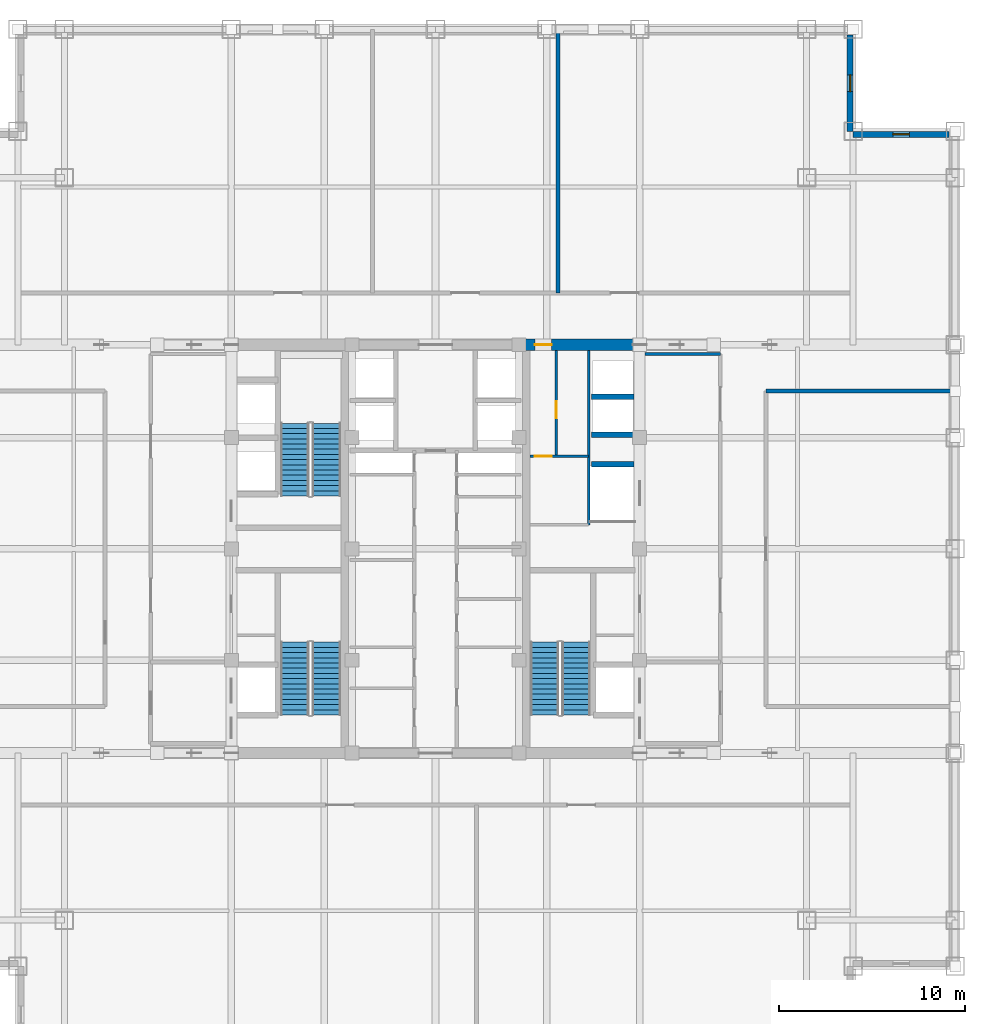
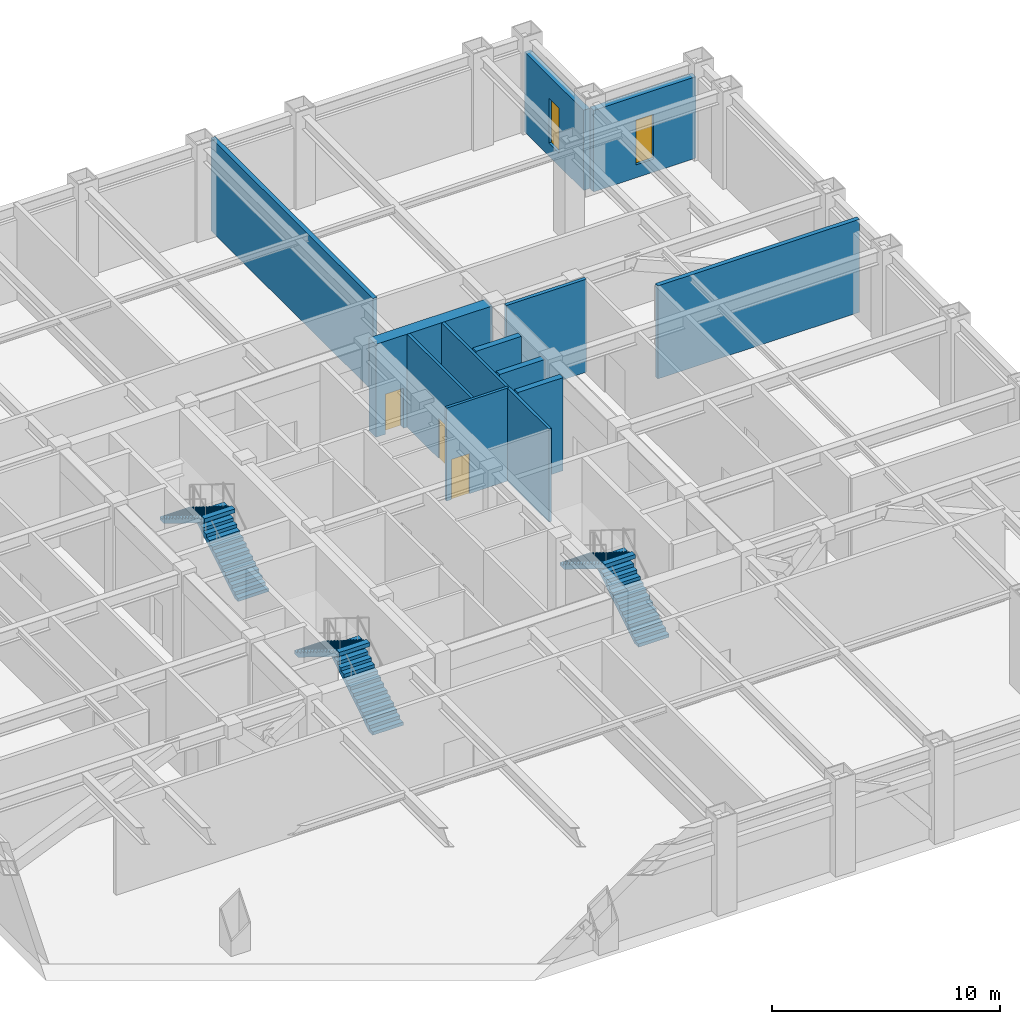
# One storey, part 9 of 11: 12 walls, 6 stair flights, 3 doors, 2 windows, 5 openings, 3 elements without a shape of their own.
"""IFC4 building model written with IfcOpenShell, lengths in metres."""

from ifc_helpers import new_model, si_unit, direction, frame, frame_2d, origin, place, context, subcontext, project, spatial, polyline, rectangle, outline, extrude, source, transform, mapped, material, layer, layer_set, type_object, element, fill, aggregate, save


model = new_model("IFC4")

# Units and contexts
model_context = context("Model", 3, precision=1e-05, world=origin(), true_north=direction((0.0, 1.0)))
body_context = subcontext(model_context, "Body", "Model", "MODEL_VIEW")
ifc_project = project(units=[si_unit("LENGTHUNIT", "METRE"), si_unit("AREAUNIT", "SQUARE_METRE"), si_unit("VOLUMEUNIT", "CUBIC_METRE"), si_unit("PLANEANGLEUNIT", "RADIAN"), si_unit("MASSUNIT", "GRAM", prefix="KILO")], contexts=[model_context])

# Site, building, storey
site_placement = place(None, origin())
site = spatial("IfcSite", under=ifc_project, at=site_placement, CompositionType="ELEMENT")
building_placement = place(site_placement, origin())
building = spatial("IfcBuilding", under=site, at=building_placement, Name="Khorayat Bourse Tower", CompositionType="ELEMENT")
storey_placement = place(building_placement, frame((0.0, 0.0, 268.300048828125)))
storey = spatial("IfcBuildingStorey", under=building, at=storey_placement, Name="L63", CompositionType="ELEMENT", Elevation=268.300048828125)

# Wall, opening, door
ifc_material_1 = material(Name="Concrete C60/75", Category="concrete")
ifc_layer_1 = layer(ifc_material_1, 0.60009765625)
ifc_layer_set_1 = layer_set([ifc_layer_1], Name="Concrete C60/75")
wall_type_1 = type_object("IfcWallType", Name="WAL-CORE-600", PredefinedType="SHEAR", material=ifc_layer_set_1)
shared_shape_1 = source(origin(), body_context, "Body", "SweptSolid", [
    extrude(rectangle(XDim=5.89990234375, YDim=0.60009765625, at=frame_2d((2.949951171875, 0.0))), origin(), (0.0, 0.0, 1.0), 4.97998046875),
])
wall_1_placement = place(storey_placement, frame((4.85009765625, 11.0, 0.0), z_axis=(0.0, 0.0, 1.0), x_axis=(1.0, 0.0, 0.0)))
wall_1 = element("IfcWall", 1, at=wall_1_placement, inside=storey, type_object=wall_type_1, Name="L63 Core Shear Wall PIER-EN", PredefinedType="SHEAR", context=body_context, shape_type="MappedRepresentation", body=[
    mapped(shared_shape_1, transform((0.0, 0.0, 0.0), scale=1.0)),
])
shared_shape_2 = source(origin(), body_context, "Body", "SweptSolid", [
    extrude(rectangle(XDim=0.89990234375, YDim=2.14990234375, at=frame_2d((0.449951171875, 1.074951171875))), frame((0.0, 0.31005859375, 0.0), z_axis=(0.0, -1.0, 0.0), x_axis=(1.0, 0.0, 0.0)), (0.0, 0.0, 1.0), 0.6201171875),
])
opening_1_placement = place(wall_1_placement, frame((0.5, 0.0, 0.0)))
opening_1 = element("IfcOpeningElement", 2, at=opening_1_placement, cuts=wall_1, Name="Opening DI-06", PredefinedType="OPENING", context=body_context, shape_type="MappedRepresentation", body=[
    mapped(shared_shape_2, transform((0.0, 0.0, 0.0), scale=1.0)),
])
ifc_material_2 = material(Name="Moisture-resistant laminate washroom door")
door_type = type_object("IfcDoorType", Name="DR-INT-WC-900", OperationType="NOTDEFINED", PredefinedType="DOOR", material=ifc_material_2)
shared_shape_3 = source(origin(), body_context, "Body", "SweptSolid", [
    extrude(rectangle(XDim=0.89990234375, YDim=2.14990234375, at=frame_2d((0.449951171875, 1.074951171875))), frame((0.0, 0.02490234375, 0.0), z_axis=(0.0, -1.0, 0.0), x_axis=(1.0, 0.0, 0.0)), (0.0, 0.0, 1.0), 0.050048828125),
])
door_1_placement = place(opening_1_placement, origin())
door_1 = element("IfcDoor", 3, at=door_1_placement, inside=storey, type_object=door_type, Name="L63 Core Washroom Lobby Door", OperationType="SINGLE_SWING_LEFT", OverallHeight=2.14990234375, OverallWidth=0.89990234375, PredefinedType="DOOR", context=body_context, shape_type="MappedRepresentation", body=[
    mapped(shared_shape_3, transform((0.0, 0.0, 0.0), scale=1.0)),
])
fill(opening_1, door_1)

# Wall, opening, window
ifc_material_3 = material(Name="Precast concrete C45/55", Category="concrete")
ifc_layer_2 = layer(ifc_material_3, 0.320068359375)
ifc_layer_set_2 = layer_set([ifc_layer_2], Name="Precast concrete C45/55")
wall_type_2 = type_object("IfcWallType", Name="WAL-EXT-STONE-320", PredefinedType="STANDARD", material=ifc_layer_set_2)
shared_shape_4 = source(origin(), body_context, "Body", "SweptSolid", [
    extrude(rectangle(XDim=5.179931640625, YDim=0.320068359375, at=frame_2d((2.58984375, 0.0))), origin(), (0.0, 0.0, 1.0), 4.364013671875),
])
wall_2_placement = place(storey_placement, frame((22.5, 22.340087890625, 0.0), z_axis=(0.0, 0.0, 1.0), x_axis=(1.0, 0.0, 0.0)))
wall_2 = element("IfcWall", 4, at=wall_2_placement, inside=storey, type_object=wall_type_2, Name="L63 Re-Entrant Notch Limestone Wall NE-H", PredefinedType="STANDARD", context=body_context, shape_type="MappedRepresentation", body=[
    mapped(shared_shape_4, transform((0.0, 0.0, 0.0), scale=1.0)),
])
shared_shape_5 = source(origin(), body_context, "Body", "SweptSolid", [
    extrude(rectangle(XDim=0.89990234375, YDim=2.39990234375, at=frame_2d((0.449951171875, 1.199951171875))), frame((0.0, 0.169921875, 0.0), z_axis=(0.0, -1.0, 0.0), x_axis=(1.0, 0.0, 0.0)), (0.0, 0.0, 1.0), 0.340087890625),
])
opening_2_placement = place(wall_2_placement, frame((2.139892578125, 0.0, 0.699951171875)))
opening_2 = element("IfcOpeningElement", 5, at=opening_2_placement, cuts=wall_2, Name="Opening WN-03", PredefinedType="OPENING", context=body_context, shape_type="MappedRepresentation", body=[
    mapped(shared_shape_5, transform((0.0, 0.0, 0.0), scale=1.0)),
])
ifc_material_4 = material(Name="Deep-reveal solar-control double glazing", Category="glass")
window_type = type_object("IfcWindowType", Name="WIN-SLOT-900x2400", PartitioningType="SINGLE_PANEL", PredefinedType="WINDOW", material=ifc_material_4)
shared_shape_6 = source(origin(), body_context, "Body", "SweptSolid", [
    extrude(rectangle(XDim=0.89990234375, YDim=2.39990234375, at=frame_2d((0.449951171875, 1.199951171875))), frame((0.0, 0.030029296875, 0.0), z_axis=(0.0, -1.0, 0.0), x_axis=(1.0, 0.0, 0.0)), (0.0, 0.0, 1.0), 0.06005859375),
])
window_1_placement = place(opening_2_placement, origin())
window_1 = element("IfcWindow", 6, at=window_1_placement, inside=storey, type_object=window_type, Name="L63 Facade Window 1", OverallHeight=2.39990234375, OverallWidth=0.89990234375, PartitioningType="SINGLE_PANEL", PredefinedType="WINDOW", context=body_context, shape_type="MappedRepresentation", body=[
    mapped(shared_shape_6, transform((0.0, 0.0, 0.0), scale=1.0)),
])
fill(opening_2, window_1)

shared_shape_7 = source(origin(), body_context, "Body", "SweptSolid", [
    extrude(rectangle(XDim=5.179931640625, YDim=0.320068359375, at=frame_2d((2.58984375, 0.0))), origin(), (0.0, 0.0, 1.0), 4.283935546875),
])
wall_3_placement = place(storey_placement, frame((22.340087890625, 22.5, 0.0), z_axis=(0.0, 0.0, 1.0), x_axis=(0.0, 1.0, 0.0)))
wall_3 = element("IfcWall", 7, at=wall_3_placement, inside=storey, type_object=wall_type_2, Name="L63 Re-Entrant Notch Limestone Wall NE-V", PredefinedType="STANDARD", context=body_context, shape_type="MappedRepresentation", body=[
    mapped(shared_shape_7, transform((0.0, 0.0, 0.0), scale=1.0)),
])
opening_3_placement = place(wall_3_placement, frame((2.139892578125, 0.0, 0.699951171875)))
opening_3 = element("IfcOpeningElement", 8, at=opening_3_placement, cuts=wall_3, Name="Opening WN-03", PredefinedType="OPENING", context=body_context, shape_type="MappedRepresentation", body=[
    mapped(shared_shape_5, transform((0.0, 0.0, 0.0), scale=1.0)),
])
window_2_placement = place(opening_3_placement, origin())
window_2 = element("IfcWindow", 9, at=window_2_placement, inside=storey, type_object=window_type, Name="L63 Facade Window 1", OverallHeight=2.39990234375, OverallWidth=0.89990234375, PartitioningType="SINGLE_PANEL", PredefinedType="WINDOW", context=body_context, shape_type="MappedRepresentation", body=[
    mapped(shared_shape_6, transform((0.0, 0.0, 0.0), scale=1.0)),
])
fill(opening_3, window_2)

# Walls
ifc_material_5 = material(Name="Concrete C50/60", Category="concrete")
ifc_layer_3 = layer(ifc_material_5, 0.300048828125)
ifc_layer_set_3 = layer_set([ifc_layer_3], Name="Concrete C50/60")
wall_type_3 = type_object("IfcWallType", Name="WAL-SHAFT-300", PredefinedType="SHEAR", material=ifc_layer_set_3)
shared_shape_8 = source(origin(), body_context, "Body", "SweptSolid", [
    extrude(rectangle(XDim=2.300048828125, YDim=0.300048828125, at=frame_2d((1.14990234375, 0.0))), origin(), (0.0, 0.0, 1.0), 4.97998046875),
])
for number, where, z_axis, x_axis, name in (
    (10, (8.39990234375, 4.550048828125, 0.0), (0.0, 0.0, 1.0), (1.0, 0.0, 0.0), "L63 Partition WAL-L63-EPIER-SVLN"),
    (11, (8.39990234375, 6.14990234375, 0.0), (0.0, 0.0, 1.0), (1.0, 0.0, 0.0), "L63 Partition WAL-L63-EPIER-H3S"),
    (12, (8.39990234375, 8.199951171875, 0.0), (0.0, 0.0, 1.0), (1.0, 0.0, 0.0), "L63 Partition WAL-L63-EPIER-H34"),
):
    element("IfcWall", number, at=place(storey_placement, frame(where, z_axis=z_axis, x_axis=x_axis)), inside=storey, type_object=wall_type_3, Name=name, PredefinedType="SHEAR", context=body_context, shape_type="MappedRepresentation", body=[
        mapped(shared_shape_8, transform((0.0, 0.0, 0.0), scale=1.0)),
    ])
ifc_material_6 = material(Name="Moisture-resistant masonry partition", Category="masonry")
ifc_layer_4 = layer(ifc_material_6, 0.139892578125)
ifc_layer_set_4 = layer_set([ifc_layer_4], Name="Moisture-resistant masonry partition")
wall_type_4 = type_object("IfcWallType", Name="WAL-PART-WET-140", PredefinedType="PARTITIONING", material=ifc_layer_set_4)
shared_shape_9 = source(origin(), body_context, "Body", "SweptSolid", [
    extrude(rectangle(XDim=9.39990234375, YDim=0.139892578125, at=frame_2d((4.699951171875, 0.0))), origin(), (0.0, 0.0, 1.0), 4.97998046875),
])
wall_4_placement = place(storey_placement, frame((8.25, 1.300048828125, 0.0), z_axis=(0.0, 0.0, 1.0), x_axis=(0.0, 1.0, 0.0)))
element("IfcWall", 13, at=wall_4_placement, inside=storey, type_object=wall_type_4, Name="L63 Partition WAL-L63-ECORE-E", PredefinedType="PARTITIONING", context=body_context, shape_type="MappedRepresentation", body=[
    mapped(shared_shape_9, transform((0.0, 0.0, 0.0), scale=1.0)),
])

# Wall, opening, door
shared_shape_10 = source(origin(), body_context, "Body", "SweptSolid", [
    extrude(rectangle(XDim=3.14990234375, YDim=0.139892578125, at=frame_2d((1.574951171875, 0.0))), origin(), (0.0, 0.0, 1.0), 4.97998046875),
])
wall_5_placement = place(storey_placement, frame((5.10009765625, 5.0, 0.0), z_axis=(0.0, 0.0, 1.0), x_axis=(1.0, 0.0, 0.0)))
wall_5 = element("IfcWall", 14, at=wall_5_placement, inside=storey, type_object=wall_type_4, Name="L63 Partition WAL-L63-ECW-BOT", PredefinedType="PARTITIONING", context=body_context, shape_type="MappedRepresentation", body=[
    mapped(shared_shape_10, transform((0.0, 0.0, 0.0), scale=1.0)),
])
shared_shape_11 = source(origin(), body_context, "Body", "SweptSolid", [
    extrude(rectangle(XDim=0.89990234375, YDim=2.14990234375, at=frame_2d((0.449951171875, 1.074951171875))), frame((0.0, 0.079833984375, 0.0), z_axis=(0.0, -1.0, 0.0), x_axis=(1.0, 0.0, 0.0)), (0.0, 0.0, 1.0), 0.159912109375),
])
opening_4_placement = place(wall_5_placement, frame((0.25, 0.0, 0.0)))
opening_4 = element("IfcOpeningElement", 15, at=opening_4_placement, cuts=wall_5, Name="Opening DI-06", PredefinedType="OPENING", context=body_context, shape_type="MappedRepresentation", body=[
    mapped(shared_shape_11, transform((0.0, 0.0, 0.0), scale=1.0)),
])
door_2_placement = place(opening_4_placement, origin())
door_2 = element("IfcDoor", 16, at=door_2_placement, inside=storey, type_object=door_type, Name="L63 Shared Washroom Door", OperationType="SINGLE_SWING_LEFT", OverallHeight=2.14990234375, OverallWidth=0.89990234375, PredefinedType="DOOR", context=body_context, shape_type="MappedRepresentation", body=[
    mapped(shared_shape_3, transform((0.0, 0.0, 0.0), scale=1.0)),
])
fill(opening_4, door_2)

shared_shape_12 = source(origin(), body_context, "Body", "SweptSolid", [
    extrude(rectangle(XDim=5.699951171875, YDim=0.139892578125, at=frame_2d((2.85009765625, 0.0))), origin(), (0.0, 0.0, 1.0), 4.97998046875),
])
wall_6_placement = place(storey_placement, frame((6.5, 5.0, 0.0), z_axis=(0.0, 0.0, 1.0), x_axis=(0.0, 1.0, 0.0)))
wall_6 = element("IfcWall", 17, at=wall_6_placement, inside=storey, type_object=wall_type_4, Name="L63 Partition WAL-L63-ECW-MID", PredefinedType="PARTITIONING", context=body_context, shape_type="MappedRepresentation", body=[
    mapped(shared_shape_12, transform((0.0, 0.0, 0.0), scale=1.0)),
])
opening_5_placement = place(wall_6_placement, frame((2.050048828125, 0.0, 0.0)))
opening_5 = element("IfcOpeningElement", 18, at=opening_5_placement, cuts=wall_6, Name="Opening DI-06", PredefinedType="OPENING", context=body_context, shape_type="MappedRepresentation", body=[
    mapped(shared_shape_11, transform((0.0, 0.0, 0.0), scale=1.0)),
])
door_3_placement = place(opening_5_placement, origin())
door_3 = element("IfcDoor", 19, at=door_3_placement, inside=storey, type_object=door_type, Name="L63 Accessible WC Door", OperationType="SINGLE_SWING_RIGHT", OverallHeight=2.14990234375, OverallWidth=0.89990234375, PredefinedType="DOOR", context=body_context, shape_type="MappedRepresentation", body=[
    mapped(shared_shape_3, transform((0.0, 0.0, 0.0), scale=1.0)),
])
fill(opening_5, door_3)

# Walls
ifc_material_7 = material(Name="Gypsum plasterboard acoustic stud wall")
ifc_layer_5 = layer(ifc_material_7, 0.179931640625)
ifc_layer_set_5 = layer_set([ifc_layer_5], Name="Gypsum plasterboard acoustic stud wall")
wall_type_5 = type_object("IfcWallType", Name="WAL-PART-CORR-180", PredefinedType="PARTITIONING", material=ifc_layer_set_5)
shared_shape_13 = source(origin(), body_context, "Body", "SweptSolid", [
    extrude(rectangle(XDim=4.050048828125, YDim=0.179931640625, at=frame_2d((2.02490234375, 0.0))), origin(), (0.0, 0.0, 1.0), 4.97998046875),
])
wall_7_placement = place(storey_placement, frame((11.300048828125, 10.5, 0.0), z_axis=(0.0, 0.0, 1.0), x_axis=(1.0, 0.0, 0.0)))
element("IfcWall", 20, at=wall_7_placement, inside=storey, type_object=wall_type_5, Name="L63 Partition WAL-L63-ELOB-N", PredefinedType="PARTITIONING", context=body_context, shape_type="MappedRepresentation", body=[
    mapped(shared_shape_13, transform((0.0, 0.0, 0.0), scale=1.0)),
])
ifc_material_8 = material(Name="Aerated concrete blockwork", Category="masonry")
ifc_layer_6 = layer(ifc_material_8, 0.219970703125)
ifc_layer_set_6 = layer_set([ifc_layer_6], Name="Aerated concrete blockwork")
wall_type_6 = type_object("IfcWallType", Name="WAL-PART-FF-220", PredefinedType="PARTITIONING", material=ifc_layer_set_6)
shared_shape_14 = source(origin(), body_context, "Body", "SweptSolid", [
    extrude(rectangle(XDim=14.199951171875, YDim=0.219970703125, at=frame_2d((7.10009765625, 0.0))), origin(), (0.0, 0.0, 1.0), 4.97998046875),
])
wall_8_placement = place(storey_placement, frame((6.60009765625, 13.800048828125, 0.0), z_axis=(0.0, 0.0, 1.0), x_axis=(0.0, 1.0, 0.0)))
element("IfcWall", 21, at=wall_8_placement, inside=storey, type_object=wall_type_6, Name="L63 Partition WAL-L63-PLN-D2", PredefinedType="PARTITIONING", context=body_context, shape_type="MappedRepresentation", body=[
    mapped(shared_shape_14, transform((0.0, 0.0, 0.0), scale=1.0)),
])
shared_shape_15 = source(origin(), body_context, "Body", "SweptSolid", [
    extrude(rectangle(XDim=10.199951171875, YDim=0.219970703125, at=frame_2d((5.10009765625, 0.0))), origin(), (0.0, 0.0, 1.0), 4.97998046875),
])
wall_9_placement = place(storey_placement, frame((17.800048828125, 8.5, 0.0), z_axis=(0.0, 0.0, 1.0), x_axis=(1.0, 0.0, 0.0)))
element("IfcWall", 22, at=wall_9_placement, inside=storey, type_object=wall_type_6, Name="L63 Partition WAL-L63-PLE-N", PredefinedType="PARTITIONING", context=body_context, shape_type="MappedRepresentation", body=[
    mapped(shared_shape_15, transform((0.0, 0.0, 0.0), scale=1.0)),
])

# Stair, stair flights
ifc_material_9 = material(Name="Concrete C40/50", Category="concrete")
stair_type = type_object("IfcStairType", Name="STR-CORE-1550", PredefinedType="HALF_TURN_STAIR", material=ifc_material_9)
stair_1_placement = place(storey_placement, origin())
stair_1 = element("IfcStair", 23, at=stair_1_placement, inside=storey, type_object=stair_type, Name="L63 Exit Stair ST-1", PredefinedType="HALF_TURN_STAIR")
stair_flight_type = type_object("IfcStairFlightType", Name="FLT-CORE-1550", PredefinedType="STRAIGHT", material=ifc_material_9)
shared_shape_16 = source(origin(), body_context, "Body", "SweptSolid", [
    extrude(outline(polyline([(0.0, 0.0), (0.0, 0.17333984375), (0.280029296875, 0.17333984375), (0.280029296875, 0.3466796875), (0.56005859375, 0.3466796875), (0.56005859375, 0.52001953125), (0.840087890625, 0.52001953125), (0.840087890625, 0.693359375), (1.1201171875, 0.693359375), (1.1201171875, 0.86669921875), (1.39990234375, 0.86669921875), (1.39990234375, 1.0400390625), (1.679931640625, 1.0400390625), (1.679931640625, 1.21337890625), (1.9599609375, 1.21337890625), (1.9599609375, 1.38671875), (2.239990234375, 1.38671875), (2.239990234375, 1.56005859375), (2.52001953125, 1.56005859375), (2.52001953125, 1.7333984375), (2.800048828125, 1.7333984375), (2.800048828125, 1.90673828125), (3.080078125, 1.90673828125), (3.080078125, 2.080078125), (3.360107421875, 2.080078125), (3.360107421875, 2.25341796875), (3.639892578125, 2.25341796875), (3.639892578125, 2.4267578125), (3.919921875, 2.4267578125), (3.919921875, 2.60009765625), (3.919921875, 2.215087890625), (0.341796875, 0.0), (0.0, 0.0)])), frame((0.0, 0.77490234375, 0.0), z_axis=(0.0, -1.0, 0.0), x_axis=(1.0, 0.0, 0.0)), (0.0, 0.0, 1.0), 1.550048828125),
])
stair_flight_1_placement = place(storey_placement, frame((-5.875, -8.949951171875, 0.0), z_axis=(0.0, 0.0, 1.0), x_axis=(0.0, 1.0, 0.0)))
stair_flight_1 = element("IfcStairFlight", 24, at=stair_flight_1_placement, type_object=stair_flight_type, Name="ST-1 flight 1", NumberOfRisers=15, NumberOfTreads=14, PredefinedType="STRAIGHT", RiserHeight=0.173333333, TreadLength=0.28, context=body_context, shape_type="MappedRepresentation", body=[
    mapped(shared_shape_16, transform((0.0, 0.0, 0.0), scale=1.0)),
])
stair_flight_2_placement = place(storey_placement, frame((-7.574951171875, -5.030029296875, 2.599853515625), z_axis=(0.0, 0.0, 1.0), x_axis=(0.0, -1.0, 0.0)))
stair_flight_2 = element("IfcStairFlight", 25, at=stair_flight_2_placement, type_object=stair_flight_type, Name="ST-1 flight 2", NumberOfRisers=15, NumberOfTreads=14, PredefinedType="STRAIGHT", RiserHeight=0.173333333, TreadLength=0.28, context=body_context, shape_type="MappedRepresentation", body=[
    mapped(shared_shape_16, transform((0.0, 0.0, 0.0), scale=1.0)),
])
aggregate(stair_1, [stair_flight_1, stair_flight_2])

stair_2_placement = place(storey_placement, origin())
stair_2 = element("IfcStair", 26, at=stair_2_placement, inside=storey, type_object=stair_type, Name="L63 Exit Stair ST-2", PredefinedType="HALF_TURN_STAIR")
stair_flight_3_placement = place(storey_placement, frame((-5.875, 2.85009765625, 0.0), z_axis=(0.0, 0.0, 1.0), x_axis=(0.0, 1.0, 0.0)))
stair_flight_3 = element("IfcStairFlight", 27, at=stair_flight_3_placement, type_object=stair_flight_type, Name="ST-2 flight 1", NumberOfRisers=15, NumberOfTreads=14, PredefinedType="STRAIGHT", RiserHeight=0.173333333, TreadLength=0.28, context=body_context, shape_type="MappedRepresentation", body=[
    mapped(shared_shape_16, transform((0.0, 0.0, 0.0), scale=1.0)),
])
stair_flight_4_placement = place(storey_placement, frame((-7.574951171875, 6.77001953125, 2.599853515625), z_axis=(0.0, 0.0, 1.0), x_axis=(0.0, -1.0, 0.0)))
stair_flight_4 = element("IfcStairFlight", 28, at=stair_flight_4_placement, type_object=stair_flight_type, Name="ST-2 flight 2", NumberOfRisers=15, NumberOfTreads=14, PredefinedType="STRAIGHT", RiserHeight=0.173333333, TreadLength=0.28, context=body_context, shape_type="MappedRepresentation", body=[
    mapped(shared_shape_16, transform((0.0, 0.0, 0.0), scale=1.0)),
])
aggregate(stair_2, [stair_flight_3, stair_flight_4])

stair_3_placement = place(storey_placement, origin())
stair_3 = element("IfcStair", 29, at=stair_3_placement, inside=storey, type_object=stair_type, Name="L63 Exit Stair ST-3", PredefinedType="HALF_TURN_STAIR")
stair_flight_5_placement = place(storey_placement, frame((7.574951171875, -8.949951171875, 0.0), z_axis=(0.0, 0.0, 1.0), x_axis=(0.0, 1.0, 0.0)))
stair_flight_5 = element("IfcStairFlight", 30, at=stair_flight_5_placement, type_object=stair_flight_type, Name="ST-3 flight 1", NumberOfRisers=15, NumberOfTreads=14, PredefinedType="STRAIGHT", RiserHeight=0.173333333, TreadLength=0.28, context=body_context, shape_type="MappedRepresentation", body=[
    mapped(shared_shape_16, transform((0.0, 0.0, 0.0), scale=1.0)),
])
stair_flight_6_placement = place(storey_placement, frame((5.875, -5.030029296875, 2.599853515625), z_axis=(0.0, 0.0, 1.0), x_axis=(0.0, -1.0, 0.0)))
stair_flight_6 = element("IfcStairFlight", 31, at=stair_flight_6_placement, type_object=stair_flight_type, Name="ST-3 flight 2", NumberOfRisers=15, NumberOfTreads=14, PredefinedType="STRAIGHT", RiserHeight=0.173333333, TreadLength=0.28, context=body_context, shape_type="MappedRepresentation", body=[
    mapped(shared_shape_16, transform((0.0, 0.0, 0.0), scale=1.0)),
])
aggregate(stair_3, [stair_flight_5, stair_flight_6])

save(model, "model.ifc")
